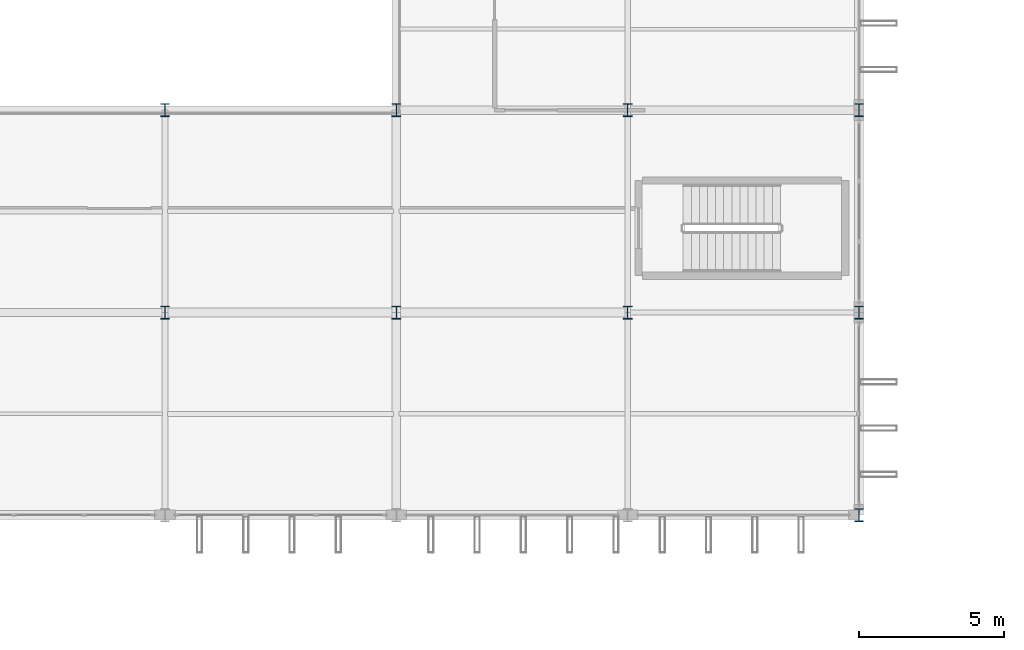
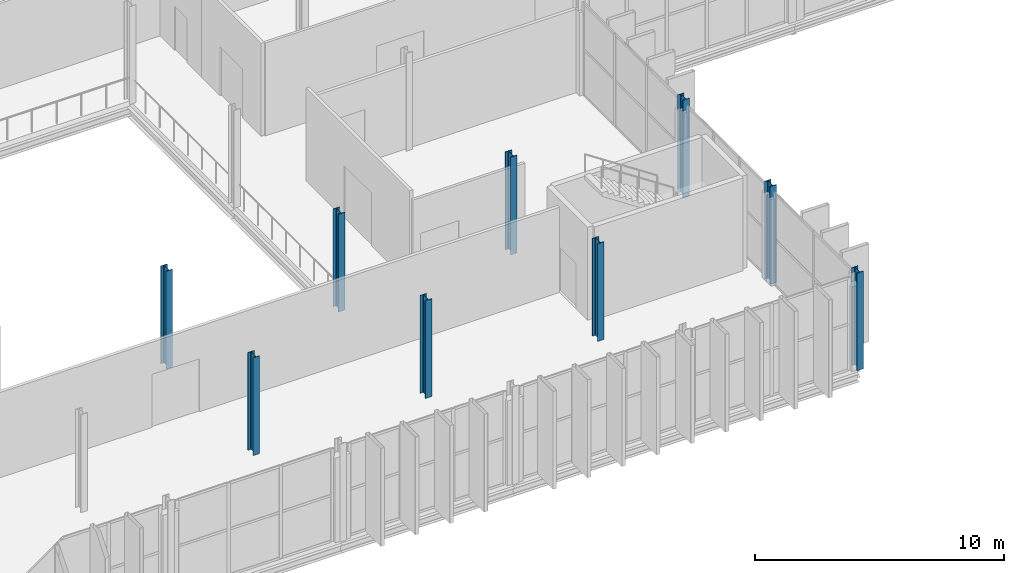
# One storey, part 4 of 120: 9 columns.
"""IFC4 building model written with IfcOpenShell, lengths in metres."""

from ifc_helpers import new_model, si_unit, direction, frame, origin, origin_2d, place, context, subcontext, project, spatial, i_section, extrude, material, material_profile, profile_set, type_object, element, save


model = new_model("IFC4")

# Units and contexts
model_context = context("Model", 3, precision=1e-05, world=origin(), true_north=direction((0.0, 1.0)))
body_context = subcontext(model_context, "Body", "Model", "MODEL_VIEW")
ifc_project = project(units=[si_unit("LENGTHUNIT", "METRE"), si_unit("AREAUNIT", "SQUARE_METRE"), si_unit("VOLUMEUNIT", "CUBIC_METRE"), si_unit("PLANEANGLEUNIT", "RADIAN"), si_unit("MASSUNIT", "GRAM", prefix="KILO")], contexts=[model_context])

# Site, building, storey
site_placement = place(None, origin())
site = spatial("IfcSite", under=ifc_project, at=site_placement, CompositionType="ELEMENT")
building_placement = place(site_placement, origin())
building = spatial("IfcBuilding", under=site, at=building_placement, Name="Vekula Escarpment Museum", CompositionType="ELEMENT")
storey_placement = place(building_placement, frame((0.0, 0.0, 13.199951171875)))
storey = spatial("IfcBuildingStorey", under=building, at=storey_placement, Name="L03", CompositionType="ELEMENT", Elevation=13.199951171875)

# Columns
ifc_material = material(Name="Steel S355", Category="steel")
ifc_material_profile = material_profile(ifc_material, i_section(OverallWidth=0.300048828125, OverallDepth=0.449951171875, WebThickness=0.013916015625, FlangeThickness=0.02587890625, FilletRadius=0.027099609375, at=origin_2d()), Name="HEB 450")
ifc_profile_set = profile_set([ifc_material_profile], Name="Steel S355")
column_type = type_object("IfcColumnType", Name="COL-S-HEB450", PredefinedType="COLUMN", material=ifc_profile_set)
for number, where, z_axis, x_axis, name in (
    (1, (102.0, 52.60009765625, 0.0), (0.0, 0.0, 1.0), (1.0, 0.0, 0.0), "Column L03 (102.0,52.6)"),
    (2, (102.0, 59.60009765625, 0.0), (0.0, 0.0, 1.0), (1.0, 0.0, 0.0), "Column L03 (102.0,59.6)"),
    (3, (110.0, 52.60009765625, 0.0), (0.0, 0.0, 1.0), (1.0, 0.0, 0.0), "Column L03 (110.0,52.6)"),
    (4, (110.0, 59.60009765625, 0.0), (0.0, 0.0, 1.0), (1.0, 0.0, 0.0), "Column L03 (110.0,59.6)"),
    (5, (118.0, 52.60009765625, 0.0), (0.0, 0.0, 1.0), (1.0, 0.0, 0.0), "Column L03 (118.0,52.6)"),
    (6, (118.0, 59.60009765625, 0.0), (0.0, 0.0, 1.0), (1.0, 0.0, 0.0), "Column L03 (118.0,59.6)"),
    (7, (126.0, 45.60009765625, 0.0), (0.0, 0.0, 1.0), (1.0, 0.0, 0.0), "Column L03 (126.0,45.6)"),
    (8, (126.0, 52.60009765625, 0.0), (0.0, 0.0, 1.0), (1.0, 0.0, 0.0), "Column L03 (126.0,52.6)"),
    (9, (126.0, 59.60009765625, 0.0), (0.0, 0.0, 1.0), (1.0, 0.0, 0.0), "Column L03 (126.0,59.6)"),
):
    element("IfcColumn", number, at=place(storey_placement, frame(where, z_axis=z_axis, x_axis=x_axis)), inside=storey, type_object=column_type, Name=name, PredefinedType="COLUMN", context=body_context, shape_type="SweptSolid", body=[
        extrude(i_section(OverallWidth=0.300048828125, OverallDepth=0.449951171875, WebThickness=0.013916015625, FlangeThickness=0.02587890625, FilletRadius=0.027099609375, at=origin_2d()), origin(), (0.0, 0.0, 1.0), 4.800048828125),
    ])

save(model, "model.ifc")
